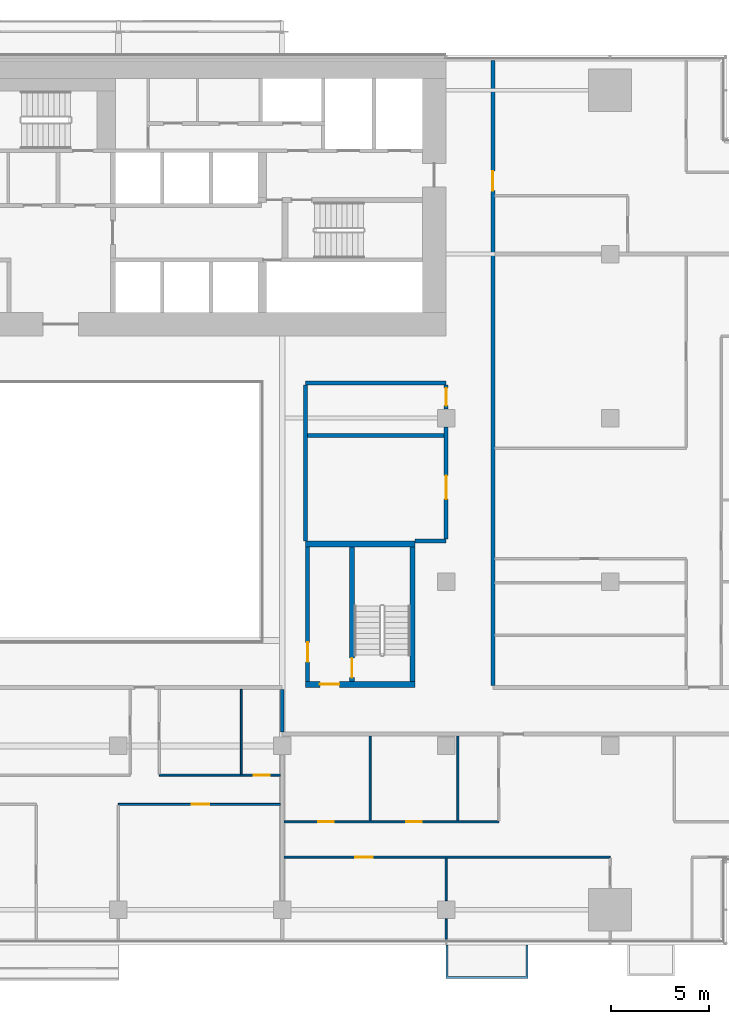
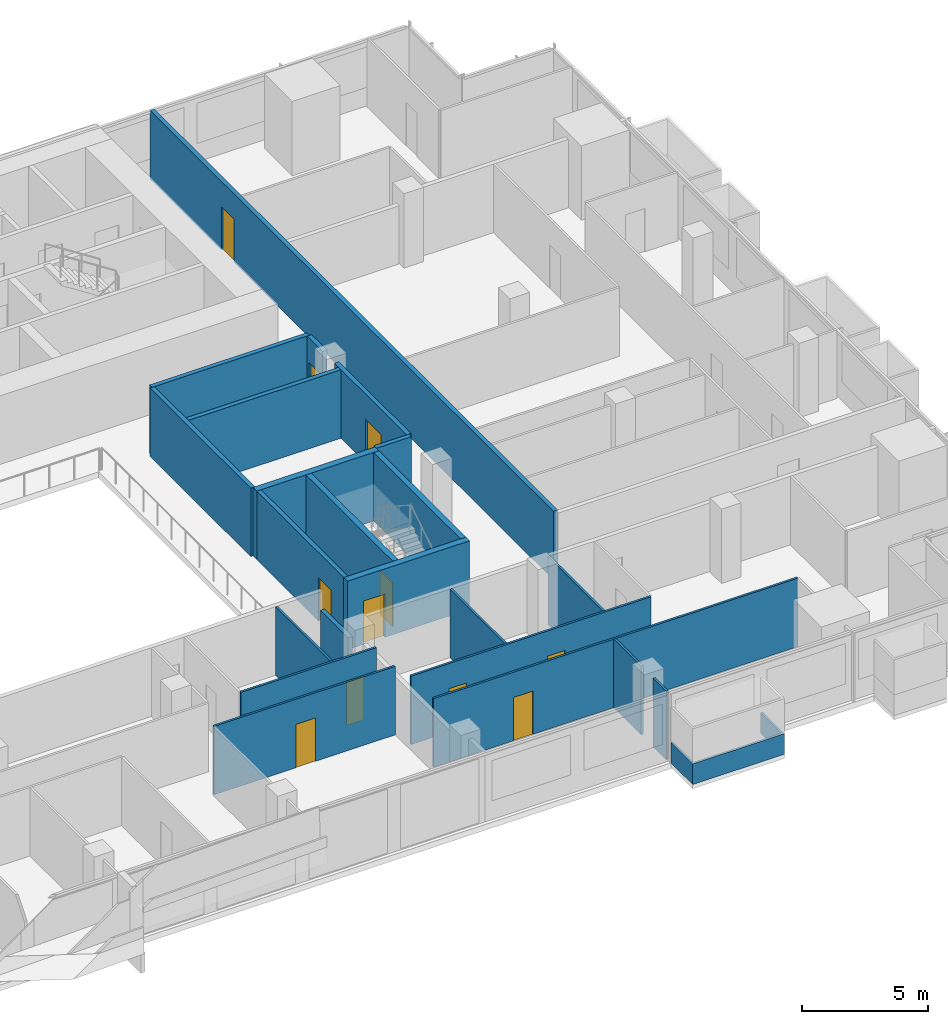
# One storey, part 20 of 27: 23 walls, 11 doors, 11 openings.
"""IFC4 building model written with IfcOpenShell, lengths in metres."""

import ifcopenshell
import ifcopenshell.guid

model = None  # the IFC model being written
_history = None  # IfcOwnerHistory: only IFC2X3 demands one
_inside = {}  # id of a spatial element -> (the spatial element, [elements in it])
_under = {}  # id of a project, library or spatial element -> (it, [spatial elements below it])
_declared = {}  # id of a project -> (the project, [libraries it declares])
_typed = {}  # id of a type object -> (the type object, [elements of that type])
_made_of = {}  # id of a material, layer set ... -> (it, [elements and type objects made of it])


def new_model(schema):
    """Start an empty IFC model of exactly this schema.

    Asked for "IFC4X3", IfcOpenShell would pick the latest addendum, in which some entities
    have other attributes; the version numbers below select the first issue.
    IFC2X3 requires an IfcOwnerHistory on every rooted entity: one is made here for all.
    """
    global model, _history
    if schema == "IFC4X3":
        model = ifcopenshell.file(schema_version=(4, 3, 0, 0))
    else:
        model = ifcopenshell.file(schema=schema)
    _inside.clear()
    _under.clear()
    _declared.clear()
    _typed.clear()
    _made_of.clear()
    _history = None
    if model.schema == "IFC2X3":
        org = make("IfcOrganization", Name="unknown")
        user = make(
            "IfcPersonAndOrganization",
            ThePerson=make("IfcPerson", FamilyName="unknown"),
            TheOrganization=org,
        )
        app = make(
            "IfcApplication",
            ApplicationDeveloper=org,
            Version="unknown",
            ApplicationFullName="unknown",
            ApplicationIdentifier="unknown",
        )
        _history = make(
            "IfcOwnerHistory",
            OwningUser=user,
            OwningApplication=app,
            ChangeAction="ADDED",
            CreationDate=0,
        )
    return model


def make(cls, **values):
    """One entity of the class cls with the attributes given. An attribute that is None is left unset."""
    return model.create_entity(
        cls, **{name: value for name, value in values.items() if value is not None}
    )


def rooted(cls, **values):
    """An entity with a GlobalId (a new one), such as an element, a storey or a relation."""
    return make(cls, GlobalId=ifcopenshell.guid.new(), OwnerHistory=_history, **values)


def si_unit(unit_type, name, prefix=None):
    """IfcSIUnit, for example si_unit("LENGTHUNIT", "METRE", prefix="MILLI")."""
    return make("IfcSIUnit", UnitType=unit_type, Prefix=prefix, Name=name)


def assignment(units):
    """IfcUnitAssignment: the units of a project."""
    return None if units is None else make("IfcUnitAssignment", Units=units)


def point(xyz):
    """IfcCartesianPoint."""
    return None if xyz is None else make("IfcCartesianPoint", Coordinates=xyz)


def direction(xyz):
    """IfcDirection."""
    return None if xyz is None else make("IfcDirection", DirectionRatios=xyz)


def frame(location, z_axis=None, x_axis=None):
    """IfcAxis2Placement3D, a coordinate frame: its origin and axes. An axis left out is left unset."""
    return make(
        "IfcAxis2Placement3D",
        Location=point(location),
        Axis=direction(z_axis),
        RefDirection=direction(x_axis),
    )


def frame_2d(location, x_axis=None):
    """IfcAxis2Placement2D, a coordinate frame in the plane: its origin and x axis."""
    return make(
        "IfcAxis2Placement2D", Location=point(location), RefDirection=direction(x_axis)
    )


def origin():
    """The frame at (0, 0, 0) with its axes left unset."""
    return frame((0.0, 0.0, 0.0))


def place(relative_to, where):
    """IfcLocalPlacement: puts the frame where relative to a parent placement (None: the world)."""
    return make(
        "IfcLocalPlacement", PlacementRelTo=relative_to, RelativePlacement=where
    )


def context(
    kind, dimensions, precision=None, world=None, true_north=None, identifier=None
):
    """IfcGeometricRepresentationContext, for example the 3D "Model" context."""
    return make(
        "IfcGeometricRepresentationContext",
        ContextIdentifier=identifier,
        ContextType=kind,
        CoordinateSpaceDimension=dimensions,
        Precision=precision,
        WorldCoordinateSystem=world,
        TrueNorth=true_north,
    )


def subcontext(parent, identifier, kind, view, scale=None):
    """IfcGeometricRepresentationSubContext, for example "Body" below "Model"."""
    return make(
        "IfcGeometricRepresentationSubContext",
        ContextIdentifier=identifier,
        ContextType=kind,
        ParentContext=parent,
        TargetScale=scale,
        TargetView=view,
    )


def project(units=None, contexts=None):
    """IfcProject with its units and contexts."""
    return rooted(
        "IfcProject",
        Name="project",
        RepresentationContexts=contexts,
        UnitsInContext=assignment(units),
    )


def spatial(cls, under=None, at=None, **own):
    """A site, building, storey or space (cls), placed at a placement, below another one or the project."""
    s = rooted(cls, ObjectPlacement=at, **own)
    if under is not None:
        _under.setdefault(under.id(), (under, []))[1].append(s)
    return s


def polyline(points):
    """IfcPolyline through the points."""
    return make("IfcPolyline", Points=[point(p) for p in points])


def profile(cls, at=None, kind="AREA", **sizes):
    """A parametric profile (cls). Its sizes go by their IFC names, for example OverallWidth=200.0."""
    return make(cls, ProfileType=kind, Position=at, **sizes)


def rectangle(**sizes):
    """IfcRectangleProfileDef."""
    return profile("IfcRectangleProfileDef", **sizes)


def outline(outer, holes=None, kind="AREA"):
    """IfcArbitraryClosedProfileDef: a profile drawn as a closed curve; with holes, ...WithVoids."""
    if holes is None:
        return make("IfcArbitraryClosedProfileDef", ProfileType=kind, OuterCurve=outer)
    return make(
        "IfcArbitraryProfileDefWithVoids",
        ProfileType=kind,
        OuterCurve=outer,
        InnerCurves=holes,
    )


def extrude(swept, where, along, depth):
    """IfcExtrudedAreaSolid: the profile swept, set in the frame where, extruded along a direction by depth."""
    return make(
        "IfcExtrudedAreaSolid",
        SweptArea=swept,
        Position=where,
        ExtrudedDirection=direction(along),
        Depth=depth,
    )


def shape(context_of_items, identifier, shape_type, items):
    """IfcShapeRepresentation: the items that make up one representation, for example the "Body"."""
    return make(
        "IfcShapeRepresentation",
        ContextOfItems=context_of_items,
        RepresentationIdentifier=identifier,
        RepresentationType=shape_type,
        Items=items,
    )


def material(Name=None, Category=None):
    """IfcMaterial."""
    return make("IfcMaterial", Name=Name, Category=Category)


def layer(
    of_material, thickness, ventilated=None, Name=None, Category=None, Priority=None
):
    """IfcMaterialLayer: one layer of a wall or slab, of a material (None: an air gap)."""
    return make(
        "IfcMaterialLayer",
        Material=of_material,
        LayerThickness=thickness,
        IsVentilated=ventilated,
        Name=Name,
        Category=Category,
        Priority=Priority,
    )


def layer_set(layers, Name=None):
    """IfcMaterialLayerSet."""
    return make("IfcMaterialLayerSet", MaterialLayers=layers, LayerSetName=Name)


def made_of(thing, what):
    """Note that an element or type object is made of a material, layer set ...; save() writes the relation."""
    if what is not None:
        _made_of.setdefault(what.id(), (what, []))[1].append(thing)
    return thing


def type_object(cls, material=None, **own):
    """A type object (cls), such as IfcWallType, which elements share."""
    return made_of(rooted(cls, **own), material)


def element(
    cls,
    number,
    at=None,
    inside=None,
    cuts=None,
    type_object=None,
    material=None,
    context=None,
    identifier="Body",
    shape_type=None,
    held_by="IfcProductDefinitionShape",
    body=None,
    shapes=None,
    **own,
):
    """One element of the class cls, such as IfcWall. Its Tag is "e" and its number.

    at: its placement. inside: the storey or other place that contains it. cuts: it is an
    opening in that element (IfcRelVoidsElement). A single representation is given by context,
    identifier, shape_type and body (its items); several are given by shapes. held_by: the class
    of the entity that holds the representations. save() writes the other relations.
    """
    e = rooted(cls, Tag="e%d" % number, ObjectPlacement=at, **own)
    if body is not None:
        shapes = [shape(context, identifier, shape_type, body)]
    if shapes is not None:
        e.Representation = make(held_by, Representations=shapes)
    if inside is not None:
        _inside.setdefault(inside.id(), (inside, []))[1].append(e)
    if cuts is not None:
        rooted(
            "IfcRelVoidsElement", RelatingBuildingElement=cuts, RelatedOpeningElement=e
        )
    if type_object is not None:
        _typed.setdefault(type_object.id(), (type_object, []))[1].append(e)
    return made_of(e, material)


def fill(opening, filler):
    """IfcRelFillsElement: the door or window that sits in an opening."""
    return rooted(
        "IfcRelFillsElement",
        RelatingOpeningElement=opening,
        RelatedBuildingElement=filler,
    )


def aggregate(whole, parts):
    """IfcRelAggregates: a whole, such as a stair, and the parts it consists of."""
    return rooted("IfcRelAggregates", RelatingObject=whole, RelatedObjects=parts)


def save(model, path):
    """Write the relations noted so far, then the file.

    IfcRelAggregates (storeys below a building ...), IfcRelContainedInSpatialStructure (elements
    in a storey), IfcRelDefinesByType, IfcRelAssociatesMaterial and IfcRelDeclares: one each for
    every whole, place, type object, material and project.
    """
    for whole, parts in _under.values():
        aggregate(whole, parts)
    for where, things in _inside.values():
        rooted(
            "IfcRelContainedInSpatialStructure",
            RelatedElements=things,
            RelatingStructure=where,
        )
    for kind, things in _typed.values():
        rooted("IfcRelDefinesByType", RelatedObjects=things, RelatingType=kind)
    for what, things in _made_of.values():
        rooted("IfcRelAssociatesMaterial", RelatedObjects=things, RelatingMaterial=what)
    for by, libraries in _declared.values():
        rooted("IfcRelDeclares", RelatingContext=by, RelatedDefinitions=libraries)
    model.write(path)


model = new_model("IFC4")

# Units and contexts
model_context = context("Model", 3, precision=1e-05, world=origin(), true_north=direction((0.0, 1.0)))
body_context = subcontext(model_context, "Body", "Model", "MODEL_VIEW")
ifc_project = project(units=[si_unit("LENGTHUNIT", "METRE"), si_unit("AREAUNIT", "SQUARE_METRE"), si_unit("VOLUMEUNIT", "CUBIC_METRE"), si_unit("PLANEANGLEUNIT", "RADIAN"), si_unit("MASSUNIT", "GRAM", prefix="KILO")], contexts=[model_context])

# Site, building, storey
site_placement = place(None, origin())
site = spatial("IfcSite", under=ifc_project, at=site_placement, CompositionType="ELEMENT")
building_placement = place(site_placement, origin())
building = spatial("IfcBuilding", under=site, at=building_placement, Name="Saffron Gate Tower", CompositionType="ELEMENT")
storey_placement = place(building_placement, frame((0.0, 0.0, 40.800048828125)))
storey = spatial("IfcBuildingStorey", under=building, at=storey_placement, Name="L08", CompositionType="ELEMENT", Elevation=40.800048828125)

# Wall, opening, door
ifc_material_1 = material(Name="Gypsum board partition on steel studs", Category="steel")
ifc_layer_1 = layer(ifc_material_1, 0.199951171875)
ifc_layer_set_1 = layer_set([ifc_layer_1], Name="CW10 Core partition 200")
wall_type_1 = type_object("IfcWallType", Name="CW10 Core partition 200", PredefinedType="PARTITIONING", material=ifc_layer_set_1)
wall_1_placement = place(storey_placement, frame((101.5, 43.5, 0.0), z_axis=(0.0, 0.0, 1.0), x_axis=(0.0, 1.0, 0.0)))
wall_1 = element("IfcWall", 1, at=wall_1_placement, inside=storey, type_object=wall_type_1, Name="Wall CW10-L08-E-2", PredefinedType="PARTITIONING", context=body_context, shape_type="SweptSolid", body=[
    extrude(rectangle(XDim=6.89990234375, YDim=0.199951171875, at=frame_2d((3.449951171875, 0.0))), origin(), (0.0, 0.0, 1.0), 3.320068359375),
])
opening_1_placement = place(wall_1_placement, frame((1.0, 0.0, 0.0)))
opening_1 = element("IfcOpeningElement", 2, at=opening_1_placement, cuts=wall_1, Name="Opening CR-22", PredefinedType="OPENING", context=body_context, shape_type="SweptSolid", body=[
    extrude(rectangle(XDim=1.0, YDim=2.10009765625, at=frame_2d((0.5, 1.050048828125))), frame((0.0, 0.10986328125, 0.0), z_axis=(0.0, -1.0, 0.0), x_axis=(1.0, 0.0, 0.0)), (0.0, 0.0, 1.0), 0.219970703125),
])
ifc_material_2 = material(Name="Steel fire door set", Category="steel")
door_type_1 = type_object("IfcDoorType", Name="CD4 Lobby door 1000x2100 EI 120", OperationType="NOTDEFINED", PredefinedType="DOOR", material=ifc_material_2)
door_1_placement = place(opening_1_placement, origin())
door_1 = element("IfcDoor", 3, at=door_1_placement, inside=storey, type_object=door_type_1, Name="DOOR CR-22", OperationType="SINGLE_SWING_LEFT", OverallHeight=2.10009765625, OverallWidth=1.0, PredefinedType="DOOR", context=body_context, shape_type="SweptSolid", body=[
    extrude(rectangle(XDim=1.0, YDim=2.10009765625, at=frame_2d((0.5, 1.050048828125))), frame((0.0, 0.02490234375, 0.0), z_axis=(0.0, -1.0, 0.0), x_axis=(1.0, 0.0, 0.0)), (0.0, 0.0, 1.0), 0.050048828125),
])
fill(opening_1, door_1)

ifc_material_3 = material(Name="Concrete C70", Category="concrete")
ifc_layer_2 = layer(ifc_material_3, 0.25)
ifc_layer_set_2 = layer_set([ifc_layer_2], Name="CW2 RC core wall 250 C70")
wall_type_2 = type_object("IfcWallType", Name="CW2 RC core wall 250 C70", PredefinedType="SOLIDWALL", material=ifc_layer_set_2)
wall_2_placement = place(storey_placement, frame((103.77490234375, 43.5, 0.0), z_axis=(0.0, 0.0, 1.0), x_axis=(0.0, 1.0, 0.0)))
wall_2 = element("IfcWall", 4, at=wall_2_placement, inside=storey, type_object=wall_type_2, Name="Wall CW2-L08-E-3", PredefinedType="SOLIDWALL", context=body_context, shape_type="SweptSolid", body=[
    extrude(rectangle(XDim=6.89990234375, YDim=0.25, at=frame_2d((3.449951171875, 0.0))), origin(), (0.0, 0.0, 1.0), 3.320068359375),
])
opening_2_placement = place(wall_2_placement, frame((0.199951171875, 0.0, 0.0)))
opening_2 = element("IfcOpeningElement", 5, at=opening_2_placement, cuts=wall_2, Name="Opening CR-23", PredefinedType="OPENING", context=body_context, shape_type="SweptSolid", body=[
    extrude(rectangle(XDim=1.0, YDim=2.10009765625, at=frame_2d((0.5, 1.050048828125))), frame((0.0, 0.135009765625, 0.0), z_axis=(0.0, -1.0, 0.0), x_axis=(1.0, 0.0, 0.0)), (0.0, 0.0, 1.0), 0.27001953125),
])
door_type_2 = type_object("IfcDoorType", Name="CD5 Stair door 1000x2100 EI 120", OperationType="NOTDEFINED", PredefinedType="DOOR", material=ifc_material_2)
door_2_placement = place(opening_2_placement, origin())
door_2 = element("IfcDoor", 6, at=door_2_placement, inside=storey, type_object=door_type_2, Name="DOOR CR-23", OperationType="SINGLE_SWING_RIGHT", OverallHeight=2.10009765625, OverallWidth=1.0, PredefinedType="DOOR", context=body_context, shape_type="SweptSolid", body=[
    extrude(rectangle(XDim=1.0, YDim=2.10009765625, at=frame_2d((0.5, 1.050048828125))), frame((0.0, 0.02490234375, 0.0), z_axis=(0.0, -1.0, 0.0), x_axis=(1.0, 0.0, 0.0)), (0.0, 0.0, 1.0), 0.050048828125),
])
fill(opening_2, door_2)

# Wall
wall_3_placement = place(storey_placement, frame((106.875, 43.5, 0.0), z_axis=(0.0, 0.0, 1.0), x_axis=(0.0, 1.0, 0.0)))
element("IfcWall", 7, at=wall_3_placement, inside=storey, type_object=wall_type_2, Name="Wall CW2-L08-E-4", PredefinedType="SOLIDWALL", context=body_context, shape_type="SweptSolid", body=[
    extrude(rectangle(XDim=6.89990234375, YDim=0.25, at=frame_2d((3.449951171875, 0.0))), origin(), (0.0, 0.0, 1.0), 3.320068359375),
])

# Wall, opening, door
ifc_layer_3 = layer(ifc_material_3, 0.300048828125)
ifc_layer_set_3 = layer_set([ifc_layer_3], Name="CW5 RC core wall 300 C70")
wall_type_3 = type_object("IfcWallType", Name="CW5 RC core wall 300 C70", PredefinedType="SOLIDWALL", material=ifc_layer_set_3)
wall_4_placement = place(storey_placement, frame((101.39990234375, 43.35009765625, 0.0), z_axis=(0.0, 0.0, 1.0), x_axis=(1.0, 0.0, 0.0)))
wall_4 = element("IfcWall", 8, at=wall_4_placement, inside=storey, type_object=wall_type_3, Name="Wall CW5-L08-E-1", PredefinedType="SOLIDWALL", context=body_context, shape_type="SweptSolid", body=[
    extrude(rectangle(XDim=5.60009765625, YDim=0.300048828125, at=frame_2d((2.800048828125, 0.0))), origin(), (0.0, 0.0, 1.0), 3.320068359375),
])
opening_3_placement = place(wall_4_placement, frame((0.72509765625, 0.0, 0.0)))
opening_3 = element("IfcOpeningElement", 9, at=opening_3_placement, cuts=wall_4, Name="Opening CR-21", PredefinedType="OPENING", context=body_context, shape_type="SweptSolid", body=[
    extrude(rectangle(XDim=1.0, YDim=2.10009765625, at=frame_2d((0.5, 1.050048828125))), frame((0.0, 0.16015625, 0.0), z_axis=(0.0, -1.0, 0.0), x_axis=(1.0, 0.0, 0.0)), (0.0, 0.0, 1.0), 0.320068359375),
])
door_3_placement = place(opening_3_placement, origin())
door_3 = element("IfcDoor", 10, at=door_3_placement, inside=storey, type_object=door_type_1, Name="DOOR CR-21", OperationType="SINGLE_SWING_RIGHT", OverallHeight=2.10009765625, OverallWidth=1.0, PredefinedType="DOOR", context=body_context, shape_type="SweptSolid", body=[
    extrude(rectangle(XDim=1.0, YDim=2.10009765625, at=frame_2d((0.5, 1.050048828125))), frame((0.0, 0.02490234375, 0.0), z_axis=(0.0, -1.0, 0.0), x_axis=(1.0, 0.0, 0.0)), (0.0, 0.0, 1.0), 0.050048828125),
])
fill(opening_3, door_3)

# Wall
wall_5_placement = place(storey_placement, frame((101.39990234375, 50.550048828125, 0.0), z_axis=(0.0, 0.0, 1.0), x_axis=(1.0, 0.0, 0.0)))
element("IfcWall", 11, at=wall_5_placement, inside=storey, type_object=wall_type_3, Name="Wall CW5-L08-E-5", PredefinedType="SOLIDWALL", context=body_context, shape_type="SweptSolid", body=[
    extrude(rectangle(XDim=5.60009765625, YDim=0.300048828125, at=frame_2d((2.800048828125, 0.0))), origin(), (0.0, 0.0, 1.0), 3.320068359375),
])

# Wall, opening, door
ifc_material_4 = material(Name="Plasterboard on steel studs", Category="steel")
ifc_layer_4 = layer(ifc_material_4, 0.10009765625)
ifc_layer_set_4 = layer_set([ifc_layer_4], Name="PW1 Partition 100")
wall_type_4 = type_object("IfcWallType", Name="PW1 Partition 100", PredefinedType="PARTITIONING", material=ifc_layer_set_4)
wall_6_placement = place(storey_placement, frame((117.0, 34.5, 0.0), z_axis=(0.0, 0.0, 1.0), x_axis=(-1.0, 0.0, 0.0)))
wall_6 = element("IfcWall", 12, at=wall_6_placement, inside=storey, type_object=wall_type_4, Name="Partition A1-3", PredefinedType="PARTITIONING", context=body_context, shape_type="SweptSolid", body=[
    extrude(rectangle(XDim=16.699951171875, YDim=0.10009765625, at=frame_2d((8.35009765625, 0.0))), origin(), (0.0, 0.0, 1.0), 3.320068359375),
])
opening_4_placement = place(wall_6_placement, frame((12.14990234375, 0.0, 0.0)))
opening_4 = element("IfcOpeningElement", 13, at=opening_4_placement, cuts=wall_6, Name="Opening A1-18", PredefinedType="OPENING", context=body_context, shape_type="SweptSolid", body=[
    extrude(rectangle(XDim=0.89990234375, YDim=2.10009765625, at=frame_2d((0.449951171875, 1.050048828125))), frame((0.0, 0.06005859375, 0.0), z_axis=(0.0, -1.0, 0.0), x_axis=(1.0, 0.0, 0.0)), (0.0, 0.0, 1.0), 0.1201171875),
])
ifc_material_5 = material(Name="Timber door set", Category="wood")
door_type_3 = type_object("IfcDoorType", Name="RD1 Room door 900x2100", OperationType="NOTDEFINED", PredefinedType="DOOR", material=ifc_material_5)
door_4_placement = place(opening_4_placement, origin())
door_4 = element("IfcDoor", 14, at=door_4_placement, inside=storey, type_object=door_type_3, Name="Door A1-18", OperationType="SINGLE_SWING_RIGHT", OverallHeight=2.10009765625, OverallWidth=0.89990234375, PredefinedType="DOOR", context=body_context, shape_type="SweptSolid", body=[
    extrude(rectangle(XDim=0.89990234375, YDim=2.10009765625, at=frame_2d((0.449951171875, 1.050048828125))), frame((0.0, 0.02490234375, 0.0), z_axis=(0.0, -1.0, 0.0), x_axis=(1.0, 0.0, 0.0)), (0.0, 0.0, 1.0), 0.050048828125),
])
fill(opening_4, door_4)

# Wall, openings, doors
wall_7_placement = place(storey_placement, frame((100.300048828125, 36.300048828125, 0.0), z_axis=(0.0, 0.0, 1.0), x_axis=(1.0, 0.0, 0.0)))
wall_7 = element("IfcWall", 15, at=wall_7_placement, inside=storey, type_object=wall_type_4, Name="Partition A1-7", PredefinedType="PARTITIONING", context=body_context, shape_type="SweptSolid", body=[
    extrude(rectangle(XDim=11.0, YDim=0.10009765625, at=frame_2d((5.5, 0.0))), origin(), (0.0, 0.0, 1.0), 3.320068359375),
])
opening_5_placement = place(wall_7_placement, frame((1.75, 0.0, 0.0)))
opening_5 = element("IfcOpeningElement", 16, at=opening_5_placement, cuts=wall_7, Name="Opening A1-40", PredefinedType="OPENING", context=body_context, shape_type="SweptSolid", body=[
    extrude(rectangle(XDim=0.800048828125, YDim=2.10009765625, at=frame_2d((0.39990234375, 1.050048828125))), frame((0.0, 0.06005859375, 0.0), z_axis=(0.0, -1.0, 0.0), x_axis=(1.0, 0.0, 0.0)), (0.0, 0.0, 1.0), 0.1201171875),
])
opening_6_placement = place(wall_7_placement, frame((6.25, 0.0, 0.0)))
opening_6 = element("IfcOpeningElement", 17, at=opening_6_placement, cuts=wall_7, Name="Opening A1-41", PredefinedType="OPENING", context=body_context, shape_type="SweptSolid", body=[
    extrude(rectangle(XDim=0.800048828125, YDim=2.10009765625, at=frame_2d((0.39990234375, 1.050048828125))), frame((0.0, 0.06005859375, 0.0), z_axis=(0.0, -1.0, 0.0), x_axis=(1.0, 0.0, 0.0)), (0.0, 0.0, 1.0), 0.1201171875),
])
door_type_4 = type_object("IfcDoorType", Name="RD2 Bathroom door 800x2100", OperationType="NOTDEFINED", PredefinedType="DOOR", material=ifc_material_5)
door_5_placement = place(opening_5_placement, origin())
door_5 = element("IfcDoor", 18, at=door_5_placement, inside=storey, type_object=door_type_4, Name="Door A1-40", OperationType="SINGLE_SWING_LEFT", OverallHeight=2.10009765625, OverallWidth=0.800048828125, PredefinedType="DOOR", context=body_context, shape_type="SweptSolid", body=[
    extrude(rectangle(XDim=0.800048828125, YDim=2.10009765625, at=frame_2d((0.39990234375, 1.050048828125))), frame((0.0, 0.02490234375, 0.0), z_axis=(0.0, -1.0, 0.0), x_axis=(1.0, 0.0, 0.0)), (0.0, 0.0, 1.0), 0.050048828125),
])
fill(opening_5, door_5)
door_6_placement = place(opening_6_placement, origin())
door_6 = element("IfcDoor", 19, at=door_6_placement, inside=storey, type_object=door_type_4, Name="Door A1-41", OperationType="SINGLE_SWING_RIGHT", OverallHeight=2.10009765625, OverallWidth=0.800048828125, PredefinedType="DOOR", context=body_context, shape_type="SweptSolid", body=[
    extrude(rectangle(XDim=0.800048828125, YDim=2.10009765625, at=frame_2d((0.39990234375, 1.050048828125))), frame((0.0, 0.02490234375, 0.0), z_axis=(0.0, -1.0, 0.0), x_axis=(1.0, 0.0, 0.0)), (0.0, 0.0, 1.0), 0.050048828125),
])
fill(opening_6, door_6)

# Wall, opening, door
wall_8_placement = place(storey_placement, frame((100.10009765625, 37.199951171875, 0.0), z_axis=(0.0, 0.0, 1.0), x_axis=(-1.0, 0.0, 0.0)))
wall_8 = element("IfcWall", 20, at=wall_8_placement, inside=storey, type_object=wall_type_4, Name="Partition A1-10", PredefinedType="PARTITIONING", context=body_context, shape_type="SweptSolid", body=[
    extrude(rectangle(XDim=8.300048828125, YDim=0.10009765625, at=frame_2d((4.14990234375, 0.0))), origin(), (0.0, 0.0, 1.0), 3.320068359375),
])
opening_7_placement = place(wall_8_placement, frame((3.64990234375, 0.0, 0.0)))
opening_7 = element("IfcOpeningElement", 21, at=opening_7_placement, cuts=wall_8, Name="Opening A1-16", PredefinedType="OPENING", context=body_context, shape_type="SweptSolid", body=[
    extrude(rectangle(XDim=0.89990234375, YDim=2.10009765625, at=frame_2d((0.449951171875, 1.050048828125))), frame((0.0, 0.06005859375, 0.0), z_axis=(0.0, -1.0, 0.0), x_axis=(1.0, 0.0, 0.0)), (0.0, 0.0, 1.0), 0.1201171875),
])
door_7_placement = place(opening_7_placement, origin())
door_7 = element("IfcDoor", 22, at=door_7_placement, inside=storey, type_object=door_type_3, Name="Door A1-16", OperationType="SINGLE_SWING_LEFT", OverallHeight=2.10009765625, OverallWidth=0.89990234375, PredefinedType="DOOR", context=body_context, shape_type="SweptSolid", body=[
    extrude(rectangle(XDim=0.89990234375, YDim=2.10009765625, at=frame_2d((0.449951171875, 1.050048828125))), frame((0.0, 0.02490234375, 0.0), z_axis=(0.0, -1.0, 0.0), x_axis=(1.0, 0.0, 0.0)), (0.0, 0.0, 1.0), 0.050048828125),
])
fill(opening_7, door_7)

wall_9_placement = place(storey_placement, frame((93.89990234375, 38.699951171875, 0.0), z_axis=(0.0, 0.0, 1.0), x_axis=(1.0, 0.0, 0.0)))
wall_9 = element("IfcWall", 23, at=wall_9_placement, inside=storey, type_object=wall_type_4, Name="Partition A1-12", PredefinedType="PARTITIONING", context=body_context, shape_type="SweptSolid", body=[
    extrude(rectangle(XDim=6.2001953125, YDim=0.10009765625, at=frame_2d((3.10009765625, 0.0))), origin(), (0.0, 0.0, 1.0), 3.320068359375),
])
opening_8_placement = place(wall_9_placement, frame((4.85009765625, 0.0, 0.0)))
opening_8 = element("IfcOpeningElement", 24, at=opening_8_placement, cuts=wall_9, Name="Opening A1-39", PredefinedType="OPENING", context=body_context, shape_type="SweptSolid", body=[
    extrude(rectangle(XDim=0.800048828125, YDim=2.10009765625, at=frame_2d((0.39990234375, 1.050048828125))), frame((0.0, 0.06005859375, 0.0), z_axis=(0.0, -1.0, 0.0), x_axis=(1.0, 0.0, 0.0)), (0.0, 0.0, 1.0), 0.1201171875),
])
door_8_placement = place(opening_8_placement, origin())
door_8 = element("IfcDoor", 25, at=door_8_placement, inside=storey, type_object=door_type_4, Name="Door A1-39", OperationType="SINGLE_SWING_RIGHT", OverallHeight=2.10009765625, OverallWidth=0.800048828125, PredefinedType="DOOR", context=body_context, shape_type="SweptSolid", body=[
    extrude(rectangle(XDim=0.800048828125, YDim=2.10009765625, at=frame_2d((0.39990234375, 1.050048828125))), frame((0.0, 0.02490234375, 0.0), z_axis=(0.0, -1.0, 0.0), x_axis=(1.0, 0.0, 0.0)), (0.0, 0.0, 1.0), 0.050048828125),
])
fill(opening_8, door_8)

# Walls
wall_10_placement = place(storey_placement, frame((98.10009765625, 43.10009765625, 0.0), z_axis=(0.0, 0.0, 1.0), x_axis=(0.0, -1.0, 0.0)))
element("IfcWall", 26, at=wall_10_placement, inside=storey, type_object=wall_type_4, Name="Partition A1-84", PredefinedType="PARTITIONING", context=body_context, shape_type="SweptSolid", body=[
    extrude(rectangle(XDim=4.35009765625, YDim=0.10009765625, at=frame_2d((2.175048828125, 0.0))), origin(), (0.0, 0.0, 1.0), 3.320068359375),
])
wall_11_placement = place(storey_placement, frame((104.699951171875, 40.699951171875, 0.0), z_axis=(0.0, 0.0, 1.0), x_axis=(0.0, -1.0, 0.0)))
element("IfcWall", 27, at=wall_11_placement, inside=storey, type_object=wall_type_4, Name="Partition A1-89", PredefinedType="PARTITIONING", context=body_context, shape_type="SweptSolid", body=[
    extrude(rectangle(XDim=4.349853515625, YDim=0.10009765625, at=frame_2d((2.1748046875, 0.0))), origin(), (0.0, 0.0, 1.0), 3.320068359375),
])
wall_12_placement = place(storey_placement, frame((108.60009765625, 31.330078125, 0.0), z_axis=(0.0, 0.0, 1.0), x_axis=(0.0, -1.0, 0.0)))
element("IfcWall", 28, at=wall_12_placement, inside=storey, type_object=wall_type_4, Name="Partition A1-92", PredefinedType="PARTITIONING", context=body_context, shape_type="SweptSolid", body=[
    extrude(rectangle(XDim=1.050048828125, YDim=0.10009765625, at=frame_2d((0.52490234375, 0.0))), origin(), (0.0, 0.0, 1.0), 3.320068359375),
])
wall_13_placement = place(storey_placement, frame((108.60009765625, 34.449951171875, 0.0), z_axis=(0.0, 0.0, 1.0), x_axis=(0.0, -1.0, 0.0)))
element("IfcWall", 29, at=wall_13_placement, inside=storey, type_object=wall_type_4, Name="Partition A1-93", PredefinedType="PARTITIONING", context=body_context, shape_type="SweptSolid", body=[
    extrude(rectangle(XDim=2.179931640625, YDim=0.10009765625, at=frame_2d((1.08984375, 0.0))), origin(), (0.0, 0.0, 1.0), 3.320068359375),
])
wall_14_placement = place(storey_placement, frame((109.199951171875, 40.699951171875, 0.0), z_axis=(0.0, 0.0, 1.0), x_axis=(0.0, -1.0, 0.0)))
element("IfcWall", 30, at=wall_14_placement, inside=storey, type_object=wall_type_4, Name="Partition A1-94", PredefinedType="PARTITIONING", context=body_context, shape_type="SweptSolid", body=[
    extrude(rectangle(XDim=4.349853515625, YDim=0.10009765625, at=frame_2d((2.1748046875, 0.0))), origin(), (0.0, 0.0, 1.0), 3.320068359375),
])
ifc_material_6 = material(Name="Clay brick masonry, rendered", Category="masonry")
ifc_layer_5 = layer(ifc_material_6, 0.199951171875)
ifc_layer_set_5 = layer_set([ifc_layer_5], Name="PW3 Corridor wall 200")
wall_type_5 = type_object("IfcWallType", Name="PW3 Corridor wall 200", PredefinedType="PARTITIONING", material=ifc_layer_set_5)
wall_15_placement = place(storey_placement, frame((107.0, 50.699951171875, 0.0), z_axis=(0.0, 0.0, 1.0), x_axis=(1.0, 0.0, 0.0)))
element("IfcWall", 31, at=wall_15_placement, inside=storey, type_object=wall_type_5, Name="Wall A1-31", PredefinedType="PARTITIONING", context=body_context, shape_type="SweptSolid", body=[
    extrude(rectangle(XDim=1.60009765625, YDim=0.199951171875, at=frame_2d((0.800048828125, 0.0))), origin(), (0.0, 0.0, 1.0), 3.320068359375),
])
wall_16_placement = place(storey_placement, frame((101.39990234375, 58.800048828125, 0.0), z_axis=(0.0, 0.0, 1.0), x_axis=(1.0, 0.0, 0.0)))
element("IfcWall", 32, at=wall_16_placement, inside=storey, type_object=wall_type_5, Name="Wall A1-39", PredefinedType="PARTITIONING", context=body_context, shape_type="SweptSolid", body=[
    extrude(rectangle(XDim=7.2001953125, YDim=0.199951171875, at=frame_2d((3.60009765625, 0.0))), origin(), (0.0, 0.0, 1.0), 3.320068359375),
])
wall_17_placement = place(storey_placement, frame((100.199951171875, 43.10009765625, 0.0), z_axis=(0.0, 0.0, 1.0), x_axis=(0.0, -1.0, 0.0)))
element("IfcWall", 33, at=wall_17_placement, inside=storey, type_object=wall_type_5, Name="Wall A1-85", PredefinedType="PARTITIONING", context=body_context, shape_type="SweptSolid", body=[
    extrude(rectangle(XDim=2.2001953125, YDim=0.199951171875, at=frame_2d((1.10009765625, 0.0))), origin(), (0.0, 0.0, 1.0), 2.429931640625),
])
wall_18_placement = place(storey_placement, frame((101.39990234375, 58.699951171875, 0.0), z_axis=(0.0, 0.0, 1.0), x_axis=(0.0, -1.0, 0.0)))
element("IfcWall", 34, at=wall_18_placement, inside=storey, type_object=wall_type_5, Name="Wall A1-88", PredefinedType="PARTITIONING", context=body_context, shape_type="SweptSolid", body=[
    extrude(rectangle(XDim=8.0, YDim=0.199951171875, at=frame_2d((4.0, 0.0))), origin(), (0.0, 0.0, 1.0), 3.320068359375),
])

# Wall, opening, door
wall_19_placement = place(storey_placement, frame((108.60009765625, 50.800048828125, 0.0), z_axis=(0.0, 0.0, 1.0), x_axis=(0.0, 1.0, 0.0)))
wall_19 = element("IfcWall", 35, at=wall_19_placement, inside=storey, type_object=wall_type_5, Name="Wall A1-90", PredefinedType="PARTITIONING", context=body_context, shape_type="SweptSolid", body=[
    extrude(rectangle(XDim=5.72998046875, YDim=0.199951171875, at=frame_2d((2.864990234375, 0.0))), origin(), (0.0, 0.0, 1.0), 3.320068359375),
])
opening_9_placement = place(wall_19_placement, frame((2.050048828125, 0.0, 0.0)))
opening_9 = element("IfcOpeningElement", 36, at=opening_9_placement, cuts=wall_19, Name="Opening A1-48", PredefinedType="OPENING", context=body_context, shape_type="SweptSolid", body=[
    extrude(rectangle(XDim=1.199951171875, YDim=2.10009765625, at=frame_2d((0.60009765625, 1.050048828125))), frame((0.0, 0.10986328125, 0.0), z_axis=(0.0, -1.0, 0.0), x_axis=(1.0, 0.0, 0.0)), (0.0, 0.0, 1.0), 0.219970703125),
])
door_type_5 = type_object("IfcDoorType", Name="HD1 Hall door 1200x2100", OperationType="NOTDEFINED", PredefinedType="DOOR", material=ifc_material_5)
door_9_placement = place(opening_9_placement, origin())
door_9 = element("IfcDoor", 37, at=door_9_placement, inside=storey, type_object=door_type_5, Name="Door A1-48", OperationType="SINGLE_SWING_RIGHT", OverallHeight=2.10009765625, OverallWidth=1.199951171875, PredefinedType="DOOR", context=body_context, shape_type="SweptSolid", body=[
    extrude(rectangle(XDim=1.199951171875, YDim=2.10009765625, at=frame_2d((0.60009765625, 1.050048828125))), frame((0.0, 0.02490234375, 0.0), z_axis=(0.0, -1.0, 0.0), x_axis=(1.0, 0.0, 0.0)), (0.0, 0.0, 1.0), 0.050048828125),
])
fill(opening_9, door_9)

wall_20_placement = place(storey_placement, frame((108.60009765625, 57.469970703125, 0.0), z_axis=(0.0, 0.0, 1.0), x_axis=(0.0, 1.0, 0.0)))
wall_20 = element("IfcWall", 38, at=wall_20_placement, inside=storey, type_object=wall_type_5, Name="Wall A1-91", PredefinedType="PARTITIONING", context=body_context, shape_type="SweptSolid", body=[
    extrude(rectangle(XDim=1.22998046875, YDim=0.199951171875, at=frame_2d((0.614990234375, 0.0))), origin(), (0.0, 0.0, 1.0), 3.320068359375),
])
opening_10_placement = place(wall_20_placement, frame((0.1650390625, 0.0, 0.0)))
opening_10 = element("IfcOpeningElement", 39, at=opening_10_placement, cuts=wall_20, Name="Opening A1-35", PredefinedType="OPENING", context=body_context, shape_type="SweptSolid", body=[
    extrude(rectangle(XDim=0.89990234375, YDim=2.10009765625, at=frame_2d((0.449951171875, 1.050048828125))), frame((0.0, 0.10986328125, 0.0), z_axis=(0.0, -1.0, 0.0), x_axis=(1.0, 0.0, 0.0)), (0.0, 0.0, 1.0), 0.219970703125),
])
door_10_placement = place(opening_10_placement, origin())
door_10 = element("IfcDoor", 40, at=door_10_placement, inside=storey, type_object=door_type_3, Name="Door A1-35", OperationType="SINGLE_SWING_RIGHT", OverallHeight=2.10009765625, OverallWidth=0.89990234375, PredefinedType="DOOR", context=body_context, shape_type="SweptSolid", body=[
    extrude(rectangle(XDim=0.89990234375, YDim=2.10009765625, at=frame_2d((0.449951171875, 1.050048828125))), frame((0.0, 0.02490234375, 0.0), z_axis=(0.0, -1.0, 0.0), x_axis=(1.0, 0.0, 0.0)), (0.0, 0.0, 1.0), 0.050048828125),
])
fill(opening_10, door_10)

wall_21_placement = place(storey_placement, frame((111.0, 75.320068359375, 0.0), z_axis=(0.0, 0.0, 1.0), x_axis=(0.0, -1.0, 0.0)))
wall_21 = element("IfcWall", 41, at=wall_21_placement, inside=storey, type_object=wall_type_5, Name="Wall A1-95", PredefinedType="PARTITIONING", context=body_context, shape_type="SweptSolid", body=[
    extrude(rectangle(XDim=32.02001953125, YDim=0.199951171875, at=frame_2d((16.010009765625, 0.0))), origin(), (0.0, 0.0, 1.0), 3.320068359375),
])
opening_11_placement = place(wall_21_placement, frame((5.669921875, 0.0, 0.0)))
opening_11 = element("IfcOpeningElement", 42, at=opening_11_placement, cuts=wall_21, Name="Opening A1-7", PredefinedType="OPENING", context=body_context, shape_type="SweptSolid", body=[
    extrude(rectangle(XDim=1.0, YDim=2.10009765625, at=frame_2d((0.5, 1.050048828125))), frame((0.0, 0.10986328125, 0.0), z_axis=(0.0, -1.0, 0.0), x_axis=(1.0, 0.0, 0.0)), (0.0, 0.0, 1.0), 0.219970703125),
])
ifc_material_7 = material(Name="Timber fire door set", Category="wood")
door_type_6 = type_object("IfcDoorType", Name="FD1 Flat entry door 1000x2100", OperationType="NOTDEFINED", PredefinedType="DOOR", material=ifc_material_7)
door_11_placement = place(opening_11_placement, origin())
door_11 = element("IfcDoor", 43, at=door_11_placement, inside=storey, type_object=door_type_6, Name="Door A1-7", OperationType="SINGLE_SWING_RIGHT", OverallHeight=2.10009765625, OverallWidth=1.0, PredefinedType="DOOR", context=body_context, shape_type="SweptSolid", body=[
    extrude(rectangle(XDim=1.0, YDim=2.10009765625, at=frame_2d((0.5, 1.050048828125))), frame((0.0, 0.02490234375, 0.0), z_axis=(0.0, -1.0, 0.0), x_axis=(1.0, 0.0, 0.0)), (0.0, 0.0, 1.0), 0.050048828125),
])
fill(opening_11, door_11)

# Walls
ifc_layer_6 = layer(ifc_material_6, 0.199951171875)
ifc_layer_set_6 = layer_set([ifc_layer_6], Name="PW5 Room wall 200")
wall_type_6 = type_object("IfcWallType", Name="PW5 Room wall 200", PredefinedType="PARTITIONING", material=ifc_layer_set_6)
wall_22_placement = place(storey_placement, frame((101.5, 56.10009765625, 0.0), z_axis=(0.0, 0.0, 1.0), x_axis=(1.0, 0.0, 0.0)))
element("IfcWall", 44, at=wall_22_placement, inside=storey, type_object=wall_type_6, Name="Wall A1-36", PredefinedType="PARTITIONING", context=body_context, shape_type="SweptSolid", body=[
    extrude(rectangle(XDim=7.0, YDim=0.199951171875, at=frame_2d((3.5, 0.0))), origin(), (0.0, 0.0, 1.0), 3.320068359375),
])
ifc_material_8 = material(Name="Rendered insulated panel, white")
ifc_layer_7 = layer(ifc_material_8, 0.10009765625)
ifc_layer_set_7 = layer_set([ifc_layer_7], Name="WB3 box parapet white")
wall_type_7 = type_object("IfcWallType", Name="WB3 box parapet white", PredefinedType="SOLIDWALL", material=ifc_layer_set_7)
wall_23_placement = place(storey_placement, origin())
element("IfcWall", 45, at=wall_23_placement, inside=storey, type_object=wall_type_7, Name="WINDOW BOX parapet", PredefinedType="SOLIDWALL", context=body_context, shape_type="SweptSolid", body=[
    extrude(outline(polyline([(108.60009765625, 30.0), (108.699951171875, 30.0), (108.699951171875, 28.366943359375), (112.699951171875, 28.366943359375), (112.699951171875, 30.0), (112.800048828125, 30.0), (112.800048828125, 28.26708984375), (108.60009765625, 28.26708984375), (108.60009765625, 30.0)])), origin(), (0.0, 0.0, 1.0), 1.0),
])

save(model, "model.ifc")
